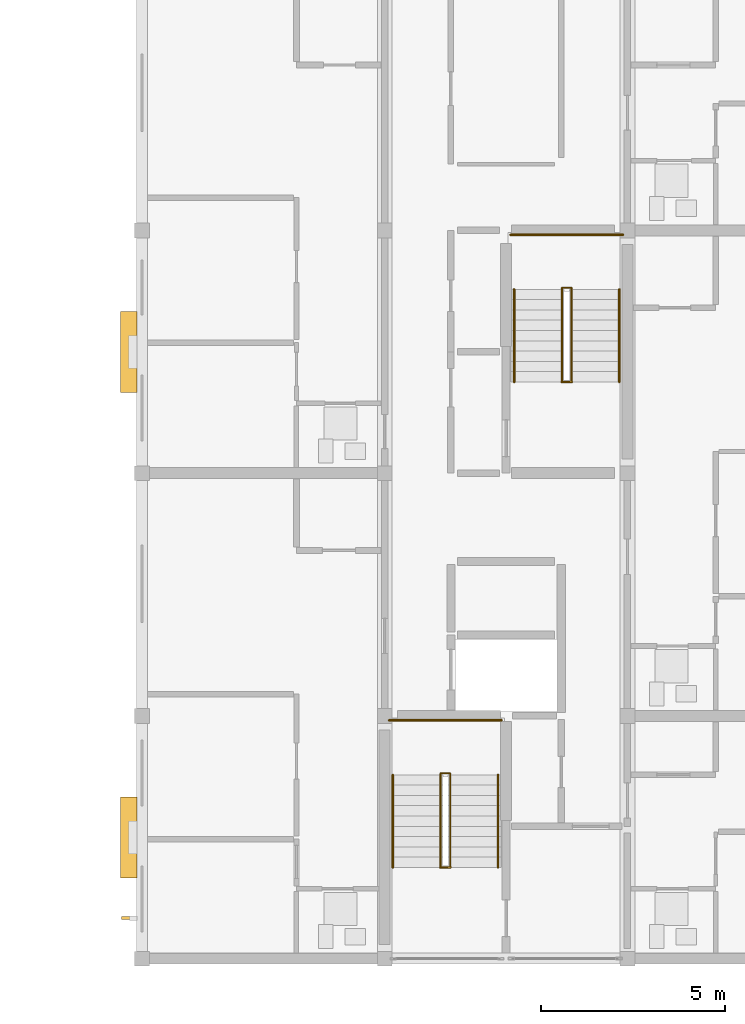
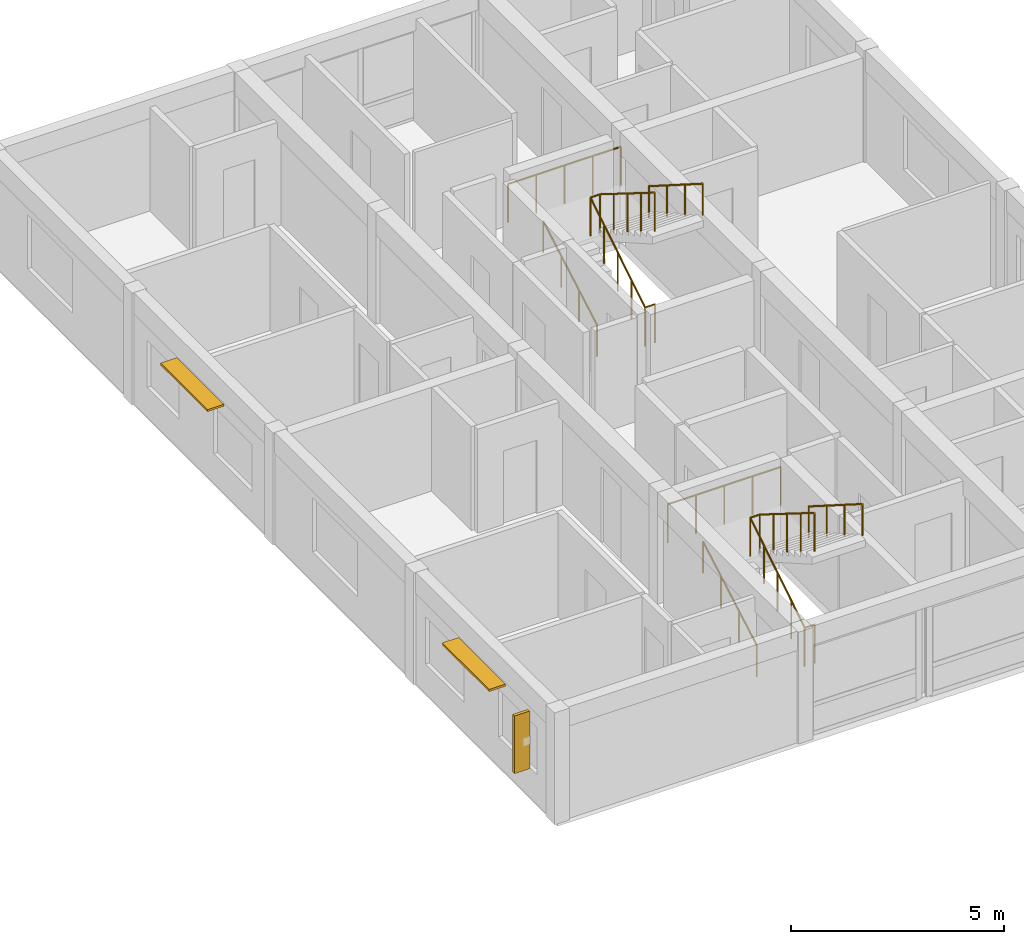
# One storey, part 45 of 49: 10 railings, 3 shading devices.
"""IFC4 building model written with IfcOpenShell, lengths in metres."""

from ifc_helpers import new_model, si_unit, direction, frame, origin, origin_2d, place, context, subcontext, project, spatial, rectangle, circle, extrude, material, layer, layer_set, type_object, element, save


model = new_model("IFC4")

# Units and contexts
model_context = context("Model", 3, precision=1e-05, world=origin(), true_north=direction((0.0, 1.0)))
body_context = subcontext(model_context, "Body", "Model", "MODEL_VIEW")
ifc_project = project(units=[si_unit("LENGTHUNIT", "METRE"), si_unit("AREAUNIT", "SQUARE_METRE"), si_unit("VOLUMEUNIT", "CUBIC_METRE"), si_unit("PLANEANGLEUNIT", "RADIAN"), si_unit("MASSUNIT", "GRAM", prefix="KILO")], contexts=[model_context])

# Site, building, storey
site_placement = place(None, origin())
site = spatial("IfcSite", under=ifc_project, at=site_placement, CompositionType="ELEMENT")
building_placement = place(site_placement, origin())
building = spatial("IfcBuilding", under=site, at=building_placement, Name="Kernevlak Ridge Housing Community", CompositionType="ELEMENT")
storey_placement = place(building_placement, frame((0.0, 0.0, 30.800048828125)))
storey = spatial("IfcBuildingStorey", under=building, at=storey_placement, Name="L09", CompositionType="ELEMENT", Elevation=30.800048828125)

# Railings
ifc_material_1 = material(Name="Steel S355", Category="steel")
railing_type_1 = type_object("IfcRailingType", Name="GR-02", PredefinedType="GUARDRAIL", material=ifc_material_1)
railing_1_placement = place(storey_placement, frame((134.110107421875, 18.080078125, 0.0)))
element("IfcRailing", 1, at=railing_1_placement, inside=storey, type_object=railing_type_1, Name="Stair ST-C1 L09 well slot guard", PredefinedType="GUARDRAIL", context=body_context, shape_type="SweptSolid", body=[
    extrude(circle(Radius=0.02392578125, at=origin_2d()), frame((0.0, 0.0, 1.09619140625), z_axis=(1.0, 0.0, 0.0), x_axis=(0.0, 1.0, 0.0)), (0.0, 0.0, 1.0), 0.27978515625),
    extrude(circle(Radius=0.02099609375, at=origin_2d()), origin(), (0.0, 0.0, 1.0), 1.072021484375),
    extrude(circle(Radius=0.02099609375, at=origin_2d()), frame((0.27978515625, 0.0, 0.0)), (0.0, 0.0, 1.0), 1.072021484375),
])
railing_2_placement = place(storey_placement, frame((134.1201171875, 18.080078125, 0.0)))
element("IfcRailing", 2, at=railing_2_placement, inside=storey, type_object=railing_type_1, Name="Stair ST-C1 L09 inner well guardrail", PredefinedType="GUARDRAIL", context=body_context, shape_type="SweptSolid", body=[
    extrude(circle(Radius=0.02392578125, at=origin_2d()), frame((0.0, 0.0, 1.09619140625), z_axis=(0.0, 0.848002847666, 0.529991670077), x_axis=(-1.0, 0.0, 0.0)), (0.0, 0.0, 1.0), 3.0185546875),
    extrude(circle(Radius=0.02392578125, at=origin_2d()), frame((0.0, 2.559814453125, 2.69580078125), z_axis=(1.0, 0.0, 0.0), x_axis=(0.0, 1.0, 0.0)), (0.0, 0.0, 1.0), 0.259765625),
    extrude(circle(Radius=0.02392578125, at=origin_2d()), frame((0.259765625, 2.559814453125, 2.69580078125), z_axis=(0.0, -0.847966497998, 0.530049826217), x_axis=(1.0, 0.0, 0.0)), (0.0, 0.0, 1.0), 3.018798828125),
    extrude(circle(Radius=0.02099609375, at=origin_2d()), origin(), (0.0, 0.0, 1.0), 1.072021484375),
    extrude(circle(Radius=0.02099609375, at=origin_2d()), frame((0.0, 0.639892578125, 0.39990234375)), (0.0, 0.0, 1.0), 1.072021484375),
    extrude(circle(Radius=0.02099609375, at=origin_2d()), frame((0.0, 1.27978515625, 0.7998046875)), (0.0, 0.0, 1.0), 1.072021484375),
    extrude(circle(Radius=0.02099609375, at=origin_2d()), frame((0.0, 1.919921875, 1.199951171875)), (0.0, 0.0, 1.0), 1.072021484375),
    extrude(circle(Radius=0.02099609375, at=origin_2d()), frame((0.0, 2.559814453125, 1.599853515625)), (0.0, 0.0, 1.0), 1.072021484375),
    extrude(circle(Radius=0.02099609375, at=origin_2d()), frame((0.259765625, 2.559814453125, 1.599853515625)), (0.0, 0.0, 1.0), 1.072021484375),
    extrude(circle(Radius=0.02099609375, at=origin_2d()), frame((0.259765625, 1.919921875, 2.0)), (0.0, 0.0, 1.0), 1.072021484375),
    extrude(circle(Radius=0.02099609375, at=origin_2d()), frame((0.259765625, 1.27978515625, 2.39990234375)), (0.0, 0.0, 1.0), 1.072021484375),
    extrude(circle(Radius=0.02099609375, at=origin_2d()), frame((0.259765625, 0.639892578125, 2.7998046875)), (0.0, 0.0, 1.0), 1.072021484375),
    extrude(circle(Radius=0.02099609375, at=origin_2d()), frame((0.259765625, 0.0, 3.199951171875)), (0.0, 0.0, 1.0), 1.072021484375),
])
railing_3_placement = place(storey_placement, frame((132.719970703125, 22.080078125, 1.599853515625)))
element("IfcRailing", 3, at=railing_3_placement, inside=storey, type_object=railing_type_1, Name="Stair ST-C1 L09 half-landing guard", PredefinedType="GUARDRAIL", context=body_context, shape_type="SweptSolid", body=[
    extrude(circle(Radius=0.02392578125, at=origin_2d()), frame((0.0, 0.0, 1.09619140625), z_axis=(1.0, 0.0, 0.0), x_axis=(0.0, 1.0, 0.0)), (0.0, 0.0, 1.0), 3.06005859375),
    extrude(circle(Radius=0.02099609375, at=origin_2d()), origin(), (0.0, 0.0, 1.0), 1.072021484375),
    extrude(circle(Radius=0.02099609375, at=origin_2d()), frame((0.76513671875, 0.0, 0.0)), (0.0, 0.0, 1.0), 1.072021484375),
    extrude(circle(Radius=0.02099609375, at=origin_2d()), frame((1.530029296875, 0.0, 0.0)), (0.0, 0.0, 1.0), 1.072021484375),
    extrude(circle(Radius=0.02099609375, at=origin_2d()), frame((2.294921875, 0.0, 0.0)), (0.0, 0.0, 1.0), 1.072021484375),
    extrude(circle(Radius=0.02099609375, at=origin_2d()), frame((3.06005859375, 0.0, 0.0)), (0.0, 0.0, 1.0), 1.072021484375),
])
railing_4_placement = place(storey_placement, frame((137.409912109375, 31.280029296875, 0.0)))
element("IfcRailing", 4, at=railing_4_placement, inside=storey, type_object=railing_type_1, Name="Stair ST-C2 L09 well slot guard", PredefinedType="GUARDRAIL", context=body_context, shape_type="SweptSolid", body=[
    extrude(circle(Radius=0.02392578125, at=origin_2d()), frame((0.0, 0.0, 1.09619140625), z_axis=(1.0, 0.0, 0.0), x_axis=(0.0, 1.0, 0.0)), (0.0, 0.0, 1.0), 0.280029296875),
    extrude(circle(Radius=0.02099609375, at=origin_2d()), origin(), (0.0, 0.0, 1.0), 1.072021484375),
    extrude(circle(Radius=0.02099609375, at=origin_2d()), frame((0.280029296875, 0.0, 0.0)), (0.0, 0.0, 1.0), 1.072021484375),
])
railing_5_placement = place(storey_placement, frame((137.419921875, 31.280029296875, 0.0)))
element("IfcRailing", 5, at=railing_5_placement, inside=storey, type_object=railing_type_1, Name="Stair ST-C2 L09 inner well guardrail", PredefinedType="GUARDRAIL", context=body_context, shape_type="SweptSolid", body=[
    extrude(circle(Radius=0.02392578125, at=origin_2d()), frame((0.0, 0.0, 1.09619140625), z_axis=(0.0, 0.848025563165, 0.529955322851), x_axis=(-1.0, 0.0, 0.0)), (0.0, 0.0, 1.0), 3.018798828125),
    extrude(circle(Radius=0.02392578125, at=origin_2d()), frame((0.0, 2.56005859375, 2.69580078125), z_axis=(1.0, 0.0, 0.0), x_axis=(0.0, 1.0, 0.0)), (0.0, 0.0, 1.0), 0.260009765625),
    extrude(circle(Radius=0.02392578125, at=origin_2d()), frame((0.260009765625, 2.56005859375, 2.69580078125), z_axis=(0.0, -0.847989217509, 0.530013478119), x_axis=(1.0, 0.0, 0.0)), (0.0, 0.0, 1.0), 3.01904296875),
    extrude(circle(Radius=0.02099609375, at=origin_2d()), origin(), (0.0, 0.0, 1.0), 1.072021484375),
    extrude(circle(Radius=0.02099609375, at=origin_2d()), frame((0.0, 0.64013671875, 0.39990234375)), (0.0, 0.0, 1.0), 1.072021484375),
    extrude(circle(Radius=0.02099609375, at=origin_2d()), frame((0.0, 1.280029296875, 0.7998046875)), (0.0, 0.0, 1.0), 1.072021484375),
    extrude(circle(Radius=0.02099609375, at=origin_2d()), frame((0.0, 1.919921875, 1.199951171875)), (0.0, 0.0, 1.0), 1.072021484375),
    extrude(circle(Radius=0.02099609375, at=origin_2d()), frame((0.0, 2.56005859375, 1.599853515625)), (0.0, 0.0, 1.0), 1.072021484375),
    extrude(circle(Radius=0.02099609375, at=origin_2d()), frame((0.260009765625, 2.56005859375, 1.599853515625)), (0.0, 0.0, 1.0), 1.072021484375),
    extrude(circle(Radius=0.02099609375, at=origin_2d()), frame((0.260009765625, 1.919921875, 2.0)), (0.0, 0.0, 1.0), 1.072021484375),
    extrude(circle(Radius=0.02099609375, at=origin_2d()), frame((0.260009765625, 1.280029296875, 2.39990234375)), (0.0, 0.0, 1.0), 1.072021484375),
    extrude(circle(Radius=0.02099609375, at=origin_2d()), frame((0.260009765625, 0.64013671875, 2.7998046875)), (0.0, 0.0, 1.0), 1.072021484375),
    extrude(circle(Radius=0.02099609375, at=origin_2d()), frame((0.260009765625, 0.0, 3.199951171875)), (0.0, 0.0, 1.0), 1.072021484375),
])
railing_6_placement = place(storey_placement, frame((136.02001953125, 35.280029296875, 1.599853515625)))
element("IfcRailing", 6, at=railing_6_placement, inside=storey, type_object=railing_type_1, Name="Stair ST-C2 L09 half-landing guard", PredefinedType="GUARDRAIL", context=body_context, shape_type="SweptSolid", body=[
    extrude(circle(Radius=0.02392578125, at=origin_2d()), frame((0.0, 0.0, 1.09619140625), z_axis=(1.0, 0.0, 0.0), x_axis=(0.0, 1.0, 0.0)), (0.0, 0.0, 1.0), 3.06005859375),
    extrude(circle(Radius=0.02099609375, at=origin_2d()), origin(), (0.0, 0.0, 1.0), 1.072021484375),
    extrude(circle(Radius=0.02099609375, at=origin_2d()), frame((0.76513671875, 0.0, 0.0)), (0.0, 0.0, 1.0), 1.072021484375),
    extrude(circle(Radius=0.02099609375, at=origin_2d()), frame((1.530029296875, 0.0, 0.0)), (0.0, 0.0, 1.0), 1.072021484375),
    extrude(circle(Radius=0.02099609375, at=origin_2d()), frame((2.294921875, 0.0, 0.0)), (0.0, 0.0, 1.0), 1.072021484375),
    extrude(circle(Radius=0.02099609375, at=origin_2d()), frame((3.06005859375, 0.0, 0.0)), (0.0, 0.0, 1.0), 1.072021484375),
])
ifc_material_2 = material(Name="Stainless steel EN 1.4401", Category="steel")
railing_type_2 = type_object("IfcRailingType", Name="HR-01", PredefinedType="HANDRAIL", material=ifc_material_2)
railing_7_placement = place(storey_placement, frame((132.820068359375, 18.080078125, 0.159912109375)))
element("IfcRailing", 7, at=railing_7_placement, inside=storey, type_object=railing_type_2, Name="Stair ST-C1 L09 flight 1 handrail", PredefinedType="HANDRAIL", context=body_context, shape_type="SweptSolid", body=[
    extrude(circle(Radius=0.02392578125, at=origin_2d()), frame((0.0, 0.0, 0.89599609375), z_axis=(0.0, 0.868253494771, 0.496120820787), x_axis=(-1.0, 0.0, 0.0)), (0.0, 0.0, 1.0), 2.90234375),
    extrude(circle(Radius=0.02099609375, at=origin_2d()), origin(), (0.0, 0.0, 1.0), 0.871826171875),
    extrude(circle(Radius=0.02099609375, at=origin_2d()), frame((0.0, 0.840087890625, 0.47998046875)), (0.0, 0.0, 1.0), 0.871826171875),
    extrude(circle(Radius=0.02099609375, at=origin_2d()), frame((0.0, 1.679931640625, 0.9599609375)), (0.0, 0.0, 1.0), 0.871826171875),
    extrude(circle(Radius=0.02099609375, at=origin_2d()), frame((0.0, 2.52001953125, 1.43994140625)), (0.0, 0.0, 1.0), 0.871826171875),
])
railing_8_placement = place(storey_placement, frame((135.679931640625, 20.60009765625, 1.599853515625)))
element("IfcRailing", 8, at=railing_8_placement, inside=storey, type_object=railing_type_2, Name="Stair ST-C1 L09 flight 2 handrail", PredefinedType="HANDRAIL", context=body_context, shape_type="SweptSolid", body=[
    extrude(circle(Radius=0.02392578125, at=origin_2d()), frame((0.0, 0.0, 0.89599609375), z_axis=(0.0, -0.844199891302, 0.536028491338), x_axis=(1.0, 0.0, 0.0)), (0.0, 0.0, 1.0), 2.985107421875),
    extrude(circle(Radius=0.02099609375, at=origin_2d()), origin(), (0.0, 0.0, 1.0), 0.871826171875),
    extrude(circle(Radius=0.02099609375, at=origin_2d()), frame((0.0, -0.840087890625, 0.533447265625)), (0.0, 0.0, 1.0), 0.871826171875),
    extrude(circle(Radius=0.02099609375, at=origin_2d()), frame((0.0, -1.679931640625, 1.066650390625)), (0.0, 0.0, 1.0), 0.871826171875),
    extrude(circle(Radius=0.02099609375, at=origin_2d()), frame((0.0, -2.52001953125, 1.60009765625)), (0.0, 0.0, 1.0), 0.871826171875),
])
railing_9_placement = place(storey_placement, frame((136.1201171875, 31.280029296875, 0.159912109375)))
element("IfcRailing", 9, at=railing_9_placement, inside=storey, type_object=railing_type_2, Name="Stair ST-C2 L09 flight 1 handrail", PredefinedType="HANDRAIL", context=body_context, shape_type="SweptSolid", body=[
    extrude(circle(Radius=0.02392578125, at=origin_2d()), frame((0.0, 0.0, 0.89599609375), z_axis=(0.0, 0.868253494771, 0.496120820787), x_axis=(-1.0, 0.0, 0.0)), (0.0, 0.0, 1.0), 2.90234375),
    extrude(circle(Radius=0.02099609375, at=origin_2d()), origin(), (0.0, 0.0, 1.0), 0.871826171875),
    extrude(circle(Radius=0.02099609375, at=origin_2d()), frame((0.0, 0.840087890625, 0.47998046875)), (0.0, 0.0, 1.0), 0.871826171875),
    extrude(circle(Radius=0.02099609375, at=origin_2d()), frame((0.0, 1.679931640625, 0.9599609375)), (0.0, 0.0, 1.0), 0.871826171875),
    extrude(circle(Radius=0.02099609375, at=origin_2d()), frame((0.0, 2.52001953125, 1.43994140625)), (0.0, 0.0, 1.0), 0.871826171875),
])
railing_10_placement = place(storey_placement, frame((138.97998046875, 33.800048828125, 1.599853515625)))
element("IfcRailing", 10, at=railing_10_placement, inside=storey, type_object=railing_type_2, Name="Stair ST-C2 L09 flight 2 handrail", PredefinedType="HANDRAIL", context=body_context, shape_type="SweptSolid", body=[
    extrude(circle(Radius=0.02392578125, at=origin_2d()), frame((0.0, 0.0, 0.89599609375), z_axis=(0.0, -0.844199891302, 0.536028491338), x_axis=(1.0, 0.0, 0.0)), (0.0, 0.0, 1.0), 2.985107421875),
    extrude(circle(Radius=0.02099609375, at=origin_2d()), origin(), (0.0, 0.0, 1.0), 0.871826171875),
    extrude(circle(Radius=0.02099609375, at=origin_2d()), frame((0.0, -0.840087890625, 0.533447265625)), (0.0, 0.0, 1.0), 0.871826171875),
    extrude(circle(Radius=0.02099609375, at=origin_2d()), frame((0.0, -1.679931640625, 1.066650390625)), (0.0, 0.0, 1.0), 0.871826171875),
    extrude(circle(Radius=0.02099609375, at=origin_2d()), frame((0.0, -2.52001953125, 1.60009765625)), (0.0, 0.0, 1.0), 0.871826171875),
])

# Shading devices
ifc_material_3 = material(Name="Aluminium EN AW-6060 anodised", Category="aluminium")
ifc_layer = layer(ifc_material_3, 0.06005859375, Name="Aluminium EN AW-6060 anodised")
ifc_layer_set = layer_set([ifc_layer], Name="Aluminium EN AW-6060 anodised")
shading_device_type_1 = type_object("IfcShadingDeviceType", Name="LV-01", PredefinedType="JALOUSIE", material=ifc_layer_set)
for number, where, z_axis, x_axis, name in (
    (11, (125.639892578125, 18.89990234375, 2.489990234375), (0.0, 0.0, 1.0), (0.0, 1.0, 0.0), "Horizontal solar louvre 35"),
    (12, (125.639892578125, 32.10009765625, 2.489990234375), (0.0, 0.0, 1.0), (0.0, 1.0, 0.0), "Horizontal solar louvre 36"),
):
    element("IfcShadingDevice", number, at=place(storey_placement, frame(where, z_axis=z_axis, x_axis=x_axis)), inside=storey, type_object=shading_device_type_1, Name=name, PredefinedType="JALOUSIE", context=body_context, shape_type="SweptSolid", body=[
        extrude(rectangle(XDim=2.199951171875, YDim=0.43994140625, at=origin_2d()), origin(), (0.0, 0.0, 1.0), 0.06005859375),
    ])
ifc_material_4 = material(Name="Aluminium EN AW-6060 enamelled", Category="aluminium")
shading_device_type_2 = type_object("IfcShadingDeviceType", Name="LV-02", PredefinedType="USERDEFINED", material=ifc_material_4)
shading_device_placement = place(storey_placement, frame((125.64990234375, 16.699951171875, 0.824951171875), z_axis=(0.0, 0.0, 1.0), x_axis=(0.0, 1.0, 0.0)))
element("IfcShadingDevice", 13, at=shading_device_placement, inside=storey, type_object=shading_device_type_2, Name="De Stijl yellow vertical solar fin 35", ObjectType="LOUVRE", PredefinedType="USERDEFINED", context=body_context, shape_type="SweptSolid", body=[
    extrude(rectangle(XDim=0.080078125, YDim=0.419921875, at=origin_2d()), origin(), (0.0, 0.0, 1.0), 1.64990234375),
])

save(model, "model.ifc")
